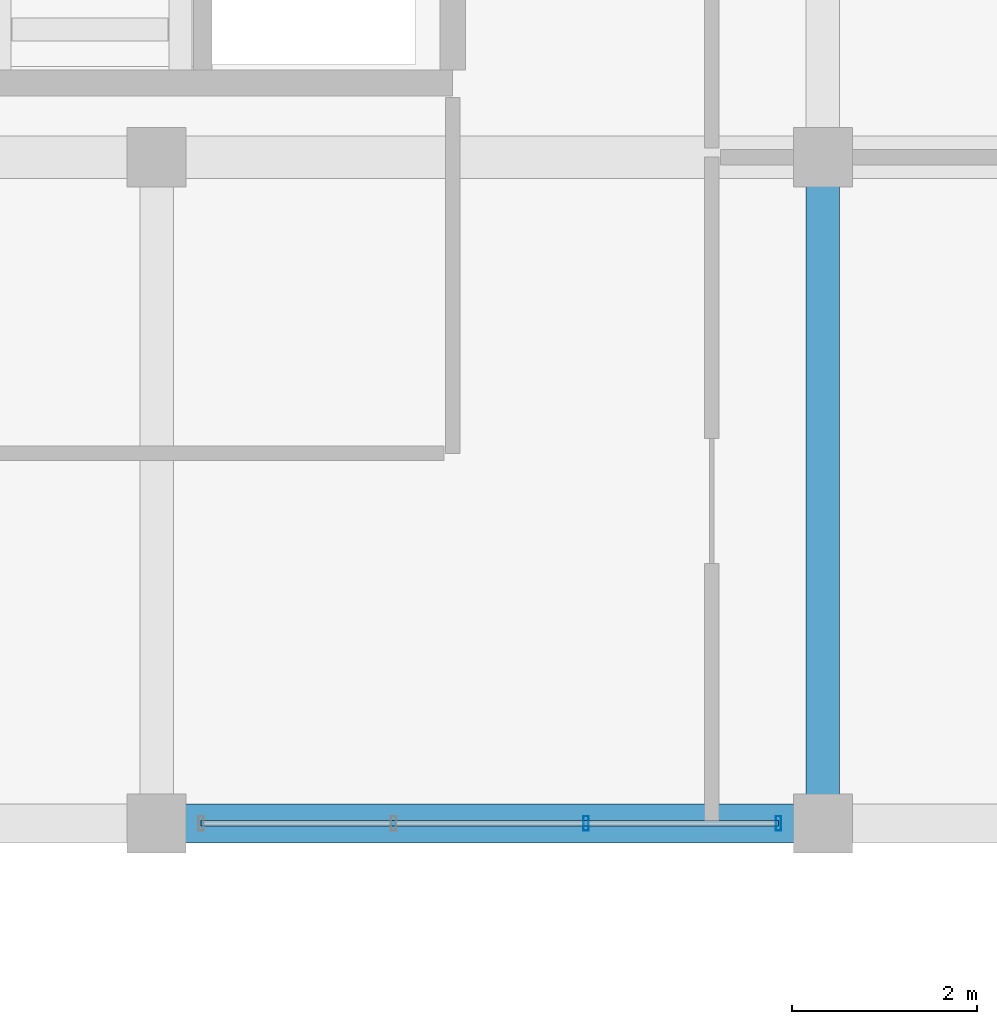
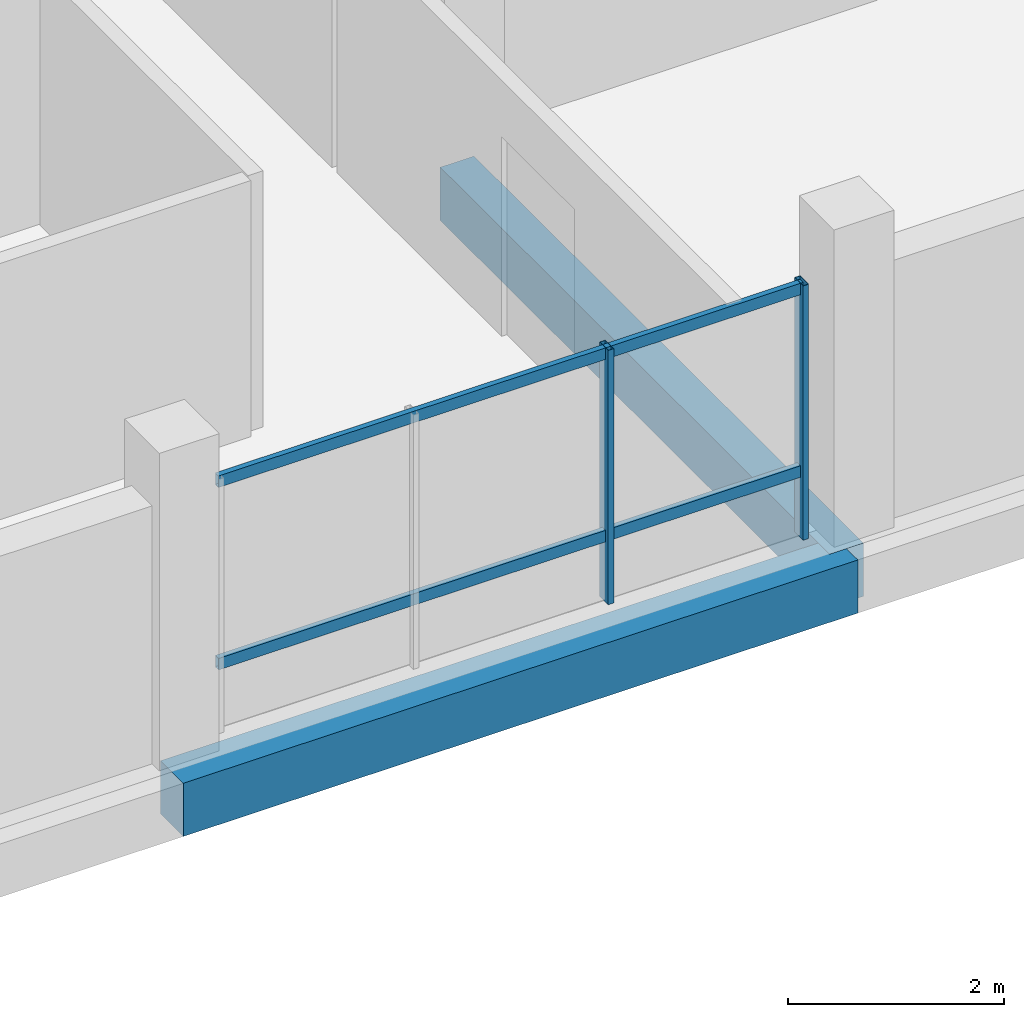
# One storey, part 87 of 128: 4 members, 2 beams, 1 element without a shape of its own.
"""IFC4 building model written with IfcOpenShell, lengths in metres."""

from ifc_helpers import new_model, si_unit, direction, frame, origin, origin_2d, place, context, subcontext, project, spatial, rectangle, hollow_rectangle, extrude, material, material_profile, profile_set, type_object, element, aggregate, save


model = new_model("IFC4")

# Units and contexts
model_context = context("Model", 3, precision=1e-05, world=origin(), true_north=direction((0.0, 1.0)))
body_context = subcontext(model_context, "Body", "Model", "MODEL_VIEW")
ifc_project = project(units=[si_unit("LENGTHUNIT", "METRE"), si_unit("AREAUNIT", "SQUARE_METRE"), si_unit("VOLUMEUNIT", "CUBIC_METRE"), si_unit("PLANEANGLEUNIT", "RADIAN"), si_unit("MASSUNIT", "GRAM", prefix="KILO")], contexts=[model_context])

# Site, building, storey
site_placement = place(None, origin())
site = spatial("IfcSite", under=ifc_project, at=site_placement, CompositionType="ELEMENT")
building_placement = place(site_placement, origin())
building = spatial("IfcBuilding", under=site, at=building_placement, Name="Zornivar Specialist Clinic", CompositionType="ELEMENT")
storey_placement = place(building_placement, frame((0.0, 0.0, 4.5)))
storey = spatial("IfcBuildingStorey", under=building, at=storey_placement, Name="L01", CompositionType="ELEMENT", Elevation=4.5)

# Beams
ifc_material_1 = material(Name="Concrete C30/37", Category="concrete")
ifc_material_profile_1 = material_profile(ifc_material_1, rectangle(XDim=0.360107421875, YDim=0.60009765625, at=origin_2d()), Name="RC 360x600")
ifc_profile_set_1 = profile_set([ifc_material_profile_1], Name="Concrete C30/37")
beam_type_1 = type_object("IfcBeamType", Name="BM-RC-360x600", PredefinedType="BEAM", material=ifc_profile_set_1)
beam_1_placement = place(storey_placement, frame((158.39990234375, 64.800048828125, -0.6201171875), z_axis=(0.0, 1.0, 0.0), x_axis=(-1.0, 0.0, 0.0)))
element("IfcBeam", 1, at=beam_1_placement, inside=storey, type_object=beam_type_1, Name="bm:V6:L01:y:1584:0", PredefinedType="BEAM", context=body_context, shape_type="SweptSolid", body=[
    extrude(rectangle(XDim=0.360107421875, YDim=0.60009765625, at=origin_2d()), origin(), (0.0, 0.0, 1.0), 7.199951171875),
])
ifc_material_2 = material(Name="Concrete C30/37", Category="concrete")
ifc_material_profile_2 = material_profile(ifc_material_2, rectangle(XDim=0.419921875, YDim=0.60009765625, at=origin_2d()), Name="RC 420x600")
ifc_profile_set_2 = profile_set([ifc_material_profile_2], Name="Concrete C30/37")
beam_type_2 = type_object("IfcBeamType", Name="BM-RC-SPANDREL-420x600", PredefinedType="SPANDREL", material=ifc_profile_set_2)
beam_2_placement = place(storey_placement, frame((151.199951171875, 64.800048828125, -0.6201171875), z_axis=(1.0, 0.0, 0.0), x_axis=(0.0, 1.0, 0.0)))
element("IfcBeam", 2, at=beam_2_placement, inside=storey, type_object=beam_type_2, Name="bm:V6:L01:x:648:2", PredefinedType="SPANDREL", context=body_context, shape_type="SweptSolid", body=[
    extrude(rectangle(XDim=0.419921875, YDim=0.60009765625, at=origin_2d()), origin(), (0.0, 0.0, 1.0), 7.199951171875),
])

# Curtain wall, members
ifc_material_3 = material(Name="Aluminium and Low-E Glass Curtain Wall", Category="aluminium")
curtain_wall_type = type_object("IfcCurtainWallType", Name="CW-LAB-NORTH", PredefinedType="NOTDEFINED", material=ifc_material_3)
curtain_wall_placement = place(storey_placement, origin())
curtain_wall = element("IfcCurtainWall", 3, at=curtain_wall_placement, inside=storey, type_object=curtain_wall_type, Name="cw:V6:L01:02", PredefinedType="NOTDEFINED")
ifc_material_4 = material(Name="Aluminium AW-6060", Category="aluminium")
ifc_material_profile_3 = material_profile(ifc_material_4, hollow_rectangle(XDim=0.06005859375, YDim=0.159912109375, WallThickness=0.00390625, at=origin_2d()), Name="ALU 60x160x4")
ifc_profile_set_3 = profile_set([ifc_material_profile_3], Name="Aluminium AW-6060")
member_type_1 = type_object("IfcMemberType", Name="CWM-MUL-160", PredefinedType="MULLION", material=ifc_profile_set_3)
member_1_placement = place(storey_placement, frame((155.840087890625, 64.800048828125, 0.0), z_axis=(0.0, 0.0, 1.0), x_axis=(1.0, 0.0, 0.0)))
member_1 = element("IfcMember", 4, at=member_1_placement, type_object=member_type_1, Name="cw:V6:L01:02:mul:2", PredefinedType="MULLION", context=body_context, shape_type="SweptSolid", body=[
    extrude(hollow_rectangle(XDim=0.06005859375, YDim=0.159912109375, WallThickness=0.00390625, at=origin_2d()), origin(), (0.0, 0.0, 1.0), 2.8701171875),
])
member_2_placement = place(storey_placement, frame((157.919921875, 64.800048828125, 0.0), z_axis=(0.0, 0.0, 1.0), x_axis=(1.0, 0.0, 0.0)))
member_2 = element("IfcMember", 5, at=member_2_placement, type_object=member_type_1, Name="cw:V6:L01:02:mul:3", PredefinedType="MULLION", context=body_context, shape_type="SweptSolid", body=[
    extrude(hollow_rectangle(XDim=0.06005859375, YDim=0.159912109375, WallThickness=0.00390625, at=origin_2d()), origin(), (0.0, 0.0, 1.0), 2.8701171875),
])
ifc_material_5 = material(Name="Aluminium AW-6060", Category="aluminium")
ifc_material_profile_4 = material_profile(ifc_material_5, hollow_rectangle(XDim=0.06005859375, YDim=0.1298828125, WallThickness=0.00390625, at=origin_2d()), Name="ALU 60x130x4")
ifc_profile_set_4 = profile_set([ifc_material_profile_4], Name="Aluminium AW-6060")
member_type_2 = type_object("IfcMemberType", Name="CWM-TRN-130", PredefinedType="USERDEFINED", material=ifc_profile_set_4)
member_3_placement = place(storey_placement, frame((151.679931640625, 64.800048828125, 0.74609375), z_axis=(1.0, 0.0, 0.0), x_axis=(0.0, 1.0, 0.0)))
member_3 = element("IfcMember", 6, at=member_3_placement, type_object=member_type_2, Name="cw:V6:L01:02:trn:0", ObjectType="TRANSOM", PredefinedType="USERDEFINED", context=body_context, shape_type="SweptSolid", body=[
    extrude(hollow_rectangle(XDim=0.06005859375, YDim=0.1298828125, WallThickness=0.00390625, at=origin_2d()), origin(), (0.0, 0.0, 1.0), 6.239990234375),
])
member_4_placement = place(storey_placement, frame((151.679931640625, 64.800048828125, 2.804931640625), z_axis=(1.0, 0.0, 0.0), x_axis=(0.0, 1.0, 0.0)))
member_4 = element("IfcMember", 7, at=member_4_placement, type_object=member_type_2, Name="cw:V6:L01:02:trn:1", ObjectType="TRANSOM", PredefinedType="USERDEFINED", context=body_context, shape_type="SweptSolid", body=[
    extrude(hollow_rectangle(XDim=0.06005859375, YDim=0.1298828125, WallThickness=0.00390625, at=origin_2d()), origin(), (0.0, 0.0, 1.0), 6.239990234375),
])
aggregate(curtain_wall, [member_1, member_2, member_3, member_4])

save(model, "model.ifc")
